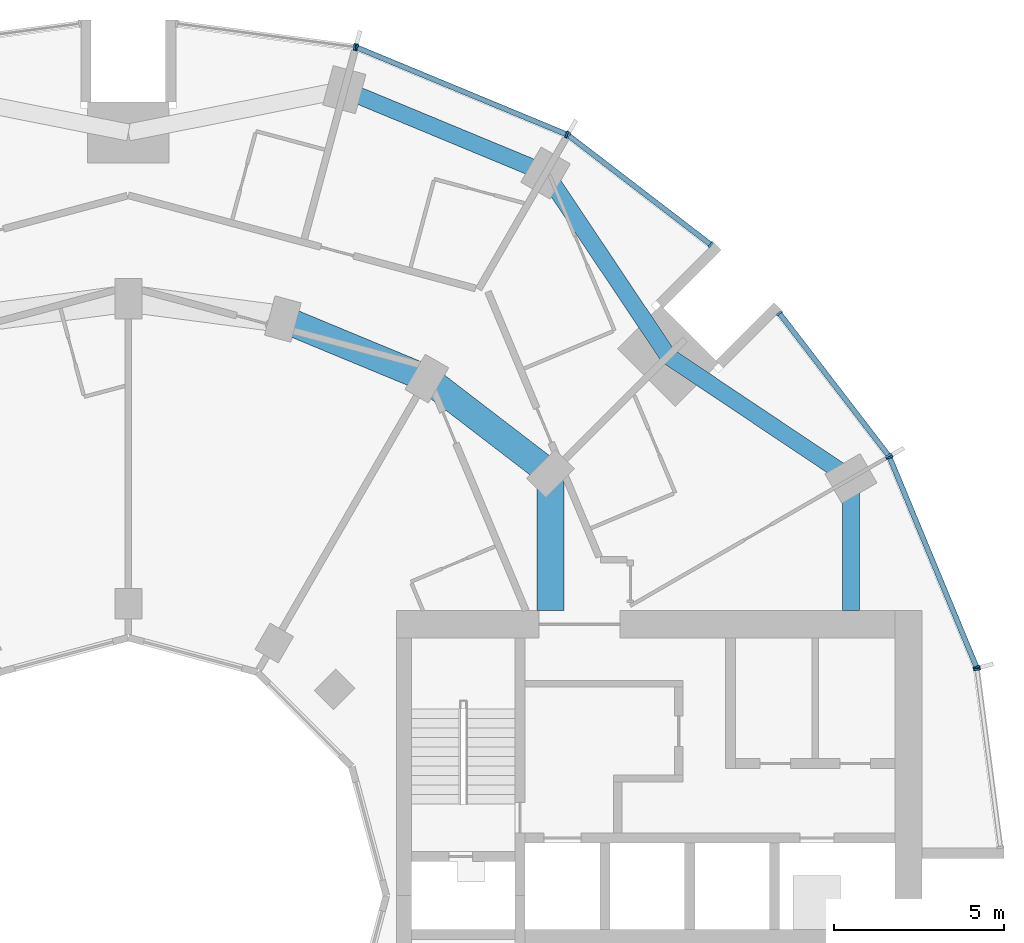
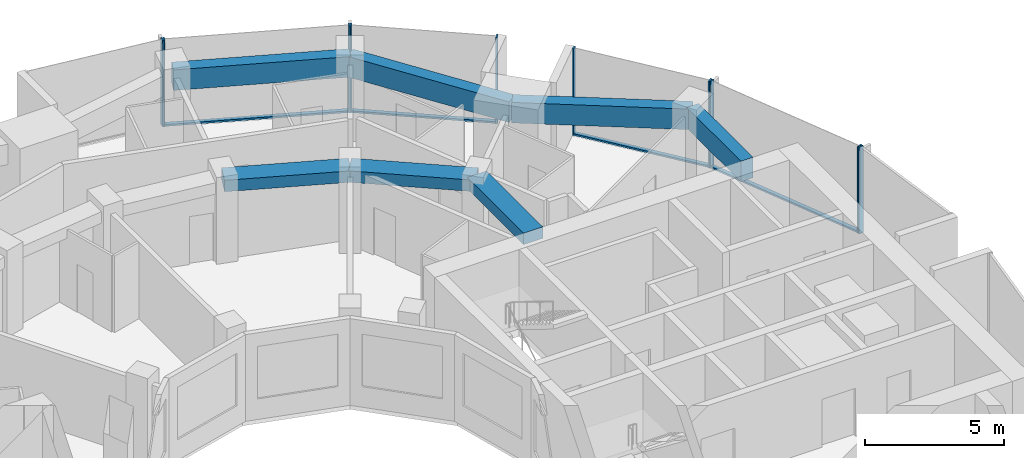
# One storey, part 6 of 15: 14 members, 7 beams, 6 elements without a shape of their own.
"""IFC4 building model written with IfcOpenShell, lengths in metres."""

from ifc_helpers import new_model, si_unit, direction, frame, origin, origin_2d, place, context, subcontext, project, spatial, rectangle, extrude, material, layer, layer_set, material_profile, profile_set, type_object, element, aggregate, save


model = new_model("IFC4")

# Units and contexts
model_context = context("Model", 3, precision=1e-05, world=origin(), true_north=direction((0.0, 1.0)))
body_context = subcontext(model_context, "Body", "Model", "MODEL_VIEW")
ifc_project = project(units=[si_unit("LENGTHUNIT", "METRE"), si_unit("AREAUNIT", "SQUARE_METRE"), si_unit("VOLUMEUNIT", "CUBIC_METRE"), si_unit("PLANEANGLEUNIT", "RADIAN"), si_unit("MASSUNIT", "GRAM", prefix="KILO")], contexts=[model_context])

# Site, building, storey
site_placement = place(None, origin())
site = spatial("IfcSite", under=ifc_project, at=site_placement, CompositionType="ELEMENT")
building_placement = place(site_placement, origin())
building = spatial("IfcBuilding", under=site, at=building_placement, Name="Torre Brocal", CompositionType="ELEMENT")
storey_placement = place(building_placement, frame((0.0, 0.0, 82.39990234375)))
storey = spatial("IfcBuildingStorey", under=building, at=storey_placement, Name="L18", CompositionType="ELEMENT", Elevation=82.39990234375)

# Curtain wall, members
ifc_material_1 = material(Name="Aluminium and glass", Category="aluminium")
ifc_layer_1 = layer(ifc_material_1, 0.199951171875)
ifc_layer_set_1 = layer_set([ifc_layer_1], Name="Aluminium and glass")
curtain_wall_type_1 = type_object("IfcCurtainWallType", Name="CW-1 CURTAIN WALL 3800 HIGH", PredefinedType="NOTDEFINED", material=ifc_layer_set_1)
curtain_wall_1_placement = place(storey_placement, origin())
curtain_wall_1 = element("IfcCurtainWall", 1, at=curtain_wall_1_placement, inside=storey, type_object=curtain_wall_type_1, Name="CW-1 RUN 2", PredefinedType="NOTDEFINED")
ifc_material_2 = material(Name="Aluminium, dark anodised", Category="aluminium")
ifc_material_profile_1 = material_profile(ifc_material_2, rectangle(XDim=0.199951171875, YDim=0.06005859375, at=origin_2d()), Name="CW-1 MULLION 60X200")
ifc_profile_set_1 = profile_set([ifc_material_profile_1], Name="Aluminium, dark anodised")
member_type_1 = type_object("IfcMemberType", Name="CW-1 MULLION 60X200", PredefinedType="MULLION", material=ifc_profile_set_1)
member_1_placement = place(storey_placement, frame((105.005126953125, 81.73095703125, 0.0), z_axis=(0.0, 0.0, 1.0), x_axis=(-0.923879532525, -0.382683432333, 0.0)))
member_1 = element("IfcMember", 2, at=member_1_placement, type_object=member_type_1, Name="CW1-1 mullion 1", PredefinedType="MULLION", context=body_context, shape_type="SweptSolid", body=[
    extrude(rectangle(XDim=0.199951171875, YDim=0.06005859375, at=origin_2d()), origin(), (0.0, 0.0, 1.0), 3.800048828125),
])
member_2_placement = place(storey_placement, frame((102.440673828125, 87.921875, 0.0), z_axis=(0.0, 0.0, 1.0), x_axis=(-0.923879532525, -0.382683432333, 0.0)))
member_2 = element("IfcMember", 3, at=member_2_placement, type_object=member_type_1, Name="CW1-1 mullion 2", PredefinedType="MULLION", context=body_context, shape_type="SweptSolid", body=[
    extrude(rectangle(XDim=0.199951171875, YDim=0.06005859375, at=origin_2d()), origin(), (0.0, 0.0, 1.0), 3.800048828125),
])

curtain_wall_2_placement = place(storey_placement, origin())
curtain_wall_2 = element("IfcCurtainWall", 4, at=curtain_wall_2_placement, inside=storey, type_object=curtain_wall_type_1, Name="CW-1 RUN 3", PredefinedType="NOTDEFINED")
member_3_placement = place(storey_placement, frame((102.4111328125, 87.973388671875, 0.0), z_axis=(0.0, 0.0, 1.0), x_axis=(-0.793353340259, -0.60876142905, 0.0)))
member_3 = element("IfcMember", 5, at=member_3_placement, type_object=member_type_1, Name="CW1-1 mullion 1", PredefinedType="MULLION", context=body_context, shape_type="SweptSolid", body=[
    extrude(rectangle(XDim=0.199951171875, YDim=0.06005859375, at=origin_2d()), origin(), (0.0, 0.0, 1.0), 3.800048828125),
])
member_4_placement = place(storey_placement, frame((99.19140625, 92.16943359375, 0.0), z_axis=(0.0, 0.0, 1.0), x_axis=(-0.793353340259, -0.60876142905, 0.0)))
member_4 = element("IfcMember", 6, at=member_4_placement, type_object=member_type_1, Name="CW1-1 mullion 2", PredefinedType="MULLION", context=body_context, shape_type="SweptSolid", body=[
    extrude(rectangle(XDim=0.199951171875, YDim=0.06005859375, at=origin_2d()), origin(), (0.0, 0.0, 1.0), 3.800048828125),
])

curtain_wall_3_placement = place(storey_placement, origin())
curtain_wall_3 = element("IfcCurtainWall", 7, at=curtain_wall_3_placement, inside=storey, type_object=curtain_wall_type_1, Name="CW-1 RUN 4", PredefinedType="NOTDEFINED")
member_5_placement = place(storey_placement, frame((97.16943359375, 94.19140625, 0.0), z_axis=(0.0, 0.0, 1.0), x_axis=(-0.60876142905, -0.793353340259, 0.0)))
member_5 = element("IfcMember", 8, at=member_5_placement, type_object=member_type_1, Name="CW1-1 mullion 1", PredefinedType="MULLION", context=body_context, shape_type="SweptSolid", body=[
    extrude(rectangle(XDim=0.199951171875, YDim=0.06005859375, at=origin_2d()), origin(), (0.0, 0.0, 1.0), 3.800048828125),
])
member_6_placement = place(storey_placement, frame((92.973388671875, 97.4111328125, 0.0), z_axis=(0.0, 0.0, 1.0), x_axis=(-0.60876142905, -0.793353340259, 0.0)))
member_6 = element("IfcMember", 9, at=member_6_placement, type_object=member_type_1, Name="CW1-1 mullion 2", PredefinedType="MULLION", context=body_context, shape_type="SweptSolid", body=[
    extrude(rectangle(XDim=0.199951171875, YDim=0.06005859375, at=origin_2d()), origin(), (0.0, 0.0, 1.0), 3.800048828125),
])

curtain_wall_4_placement = place(storey_placement, origin())
curtain_wall_4 = element("IfcCurtainWall", 10, at=curtain_wall_4_placement, inside=storey, type_object=curtain_wall_type_1, Name="CW-1 RUN 5", PredefinedType="NOTDEFINED")
member_7_placement = place(storey_placement, frame((92.921875, 97.440673828125, 0.0), z_axis=(0.0, 0.0, 1.0), x_axis=(-0.382683432333, -0.923879532525, 0.0)))
member_7 = element("IfcMember", 11, at=member_7_placement, type_object=member_type_1, Name="CW1-1 mullion 1", PredefinedType="MULLION", context=body_context, shape_type="SweptSolid", body=[
    extrude(rectangle(XDim=0.199951171875, YDim=0.06005859375, at=origin_2d()), origin(), (0.0, 0.0, 1.0), 3.800048828125),
])
member_8_placement = place(storey_placement, frame((86.73095703125, 100.005126953125, 0.0), z_axis=(0.0, 0.0, 1.0), x_axis=(-0.382683432333, -0.923879532525, 0.0)))
member_8 = element("IfcMember", 12, at=member_8_placement, type_object=member_type_1, Name="CW1-1 mullion 2", PredefinedType="MULLION", context=body_context, shape_type="SweptSolid", body=[
    extrude(rectangle(XDim=0.199951171875, YDim=0.06005859375, at=origin_2d()), origin(), (0.0, 0.0, 1.0), 3.800048828125),
])

# Curtain wall, member
curtain_wall_5_placement = place(storey_placement, origin())
curtain_wall_5 = element("IfcCurtainWall", 13, at=curtain_wall_5_placement, inside=storey, type_object=curtain_wall_type_1, Name="CW-1 RUN 6", PredefinedType="NOTDEFINED")
member_9_placement = place(storey_placement, frame((86.67333984375, 100.0205078125, 0.0), z_axis=(0.0, 0.0, 1.0), x_axis=(-0.13052619222, -0.991444861374, 0.0)))
member_9 = element("IfcMember", 14, at=member_9_placement, type_object=member_type_1, Name="CW1-1 mullion 1", PredefinedType="MULLION", context=body_context, shape_type="SweptSolid", body=[
    extrude(rectangle(XDim=0.199951171875, YDim=0.06005859375, at=origin_2d()), origin(), (0.0, 0.0, 1.0), 3.800048828125),
])
aggregate(curtain_wall_5, [member_9])

# Member
ifc_material_3 = material(Name="Aluminium, dark anodised", Category="aluminium")
ifc_material_profile_2 = material_profile(ifc_material_3, rectangle(XDim=0.159912109375, YDim=0.080078125, at=origin_2d()), Name="CW-1 TRANSOM 160X80")
ifc_profile_set_2 = profile_set([ifc_material_profile_2], Name="Aluminium, dark anodised")
member_type_2 = type_object("IfcMemberType", Name="CW-1 TRANSOM 160X80", PredefinedType="USERDEFINED", material=ifc_profile_set_2)
member_10_placement = place(storey_placement, frame((104.99365234375, 81.758544921875, 0.0400390625), z_axis=(-0.38266457234, 0.923887344364, 0.0), x_axis=(-0.923887344364, -0.38266457234, 0.0)))
member_10 = element("IfcMember", 15, at=member_10_placement, type_object=member_type_2, Name="CW1-1 transom 1.1", ObjectType="TRANSOM", PredefinedType="USERDEFINED", context=body_context, shape_type="SweptSolid", body=[
    extrude(rectangle(XDim=0.159912109375, YDim=0.080078125, at=origin_2d()), origin(), (0.0, 0.0, 1.0), 6.640869140625),
])

aggregate(curtain_wall_1, [member_1, member_2, member_10])

member_11_placement = place(storey_placement, frame((102.392822265625, 87.9970703125, 0.0400390625), z_axis=(-0.60874908096, 0.79336281513, 0.0), x_axis=(-0.79336281513, -0.60874908096, 0.0)))
member_11 = element("IfcMember", 16, at=member_11_placement, type_object=member_type_2, Name="CW1-1 transom 1.1", ObjectType="TRANSOM", PredefinedType="USERDEFINED", context=body_context, shape_type="SweptSolid", body=[
    extrude(rectangle(XDim=0.159912109375, YDim=0.080078125, at=origin_2d()), origin(), (0.0, 0.0, 1.0), 5.22900390625),
])

aggregate(curtain_wall_2, [member_3, member_4, member_11])

member_12_placement = place(storey_placement, frame((97.1455078125, 94.209716796875, 0.0400390625), z_axis=(-0.79336281513, 0.60874908096, 0.0), x_axis=(-0.60874908096, -0.79336281513, 0.0)))
member_12 = element("IfcMember", 17, at=member_12_placement, type_object=member_type_2, Name="CW1-1 transom 1.1", ObjectType="TRANSOM", PredefinedType="USERDEFINED", context=body_context, shape_type="SweptSolid", body=[
    extrude(rectangle(XDim=0.159912109375, YDim=0.080078125, at=origin_2d()), origin(), (0.0, 0.0, 1.0), 5.22900390625),
])

aggregate(curtain_wall_3, [member_5, member_6, member_12])

member_13_placement = place(storey_placement, frame((92.89404296875, 97.452392578125, 0.0400390625), z_axis=(-0.923887344364, 0.38266457234, 0.0), x_axis=(-0.38266457234, -0.923887344364, 0.0)))
member_13 = element("IfcMember", 18, at=member_13_placement, type_object=member_type_2, Name="CW1-1 transom 1.1", ObjectType="TRANSOM", PredefinedType="USERDEFINED", context=body_context, shape_type="SweptSolid", body=[
    extrude(rectangle(XDim=0.159912109375, YDim=0.080078125, at=origin_2d()), origin(), (0.0, 0.0, 1.0), 6.640869140625),
])

aggregate(curtain_wall_4, [member_7, member_8, member_13])

# Curtain wall, member
ifc_material_4 = material(Name="Aluminium and glass", Category="aluminium")
ifc_layer_2 = layer(ifc_material_4, 0.199951171875)
ifc_layer_set_2 = layer_set([ifc_layer_2], Name="Aluminium and glass")
curtain_wall_type_2 = type_object("IfcCurtainWallType", Name="CW-1B CURTAIN WALL 3800 HIGH", PredefinedType="NOTDEFINED", material=ifc_layer_set_2)
curtain_wall_6_placement = place(storey_placement, origin())
curtain_wall_6 = element("IfcCurtainWall", 19, at=curtain_wall_6_placement, inside=storey, type_object=curtain_wall_type_2, Name="CW-1B RUN 1", PredefinedType="NOTDEFINED")
ifc_material_5 = material(Name="Aluminium, dark anodised", Category="aluminium")
ifc_material_profile_3 = material_profile(ifc_material_5, rectangle(XDim=0.199951171875, YDim=0.06005859375, at=origin_2d()), Name="CW-1B MULLION 60X200")
ifc_profile_set_3 = profile_set([ifc_material_profile_3], Name="Aluminium, dark anodised")
member_type_3 = type_object("IfcMemberType", Name="CW-1B MULLION 60X200", PredefinedType="MULLION", material=ifc_profile_set_3)
member_14_placement = place(storey_placement, frame((105.0205078125, 81.67333984375, 0.0), z_axis=(0.0, 0.0, 1.0), x_axis=(-0.991444861374, -0.13052619222, 0.0)))
member_14 = element("IfcMember", 20, at=member_14_placement, type_object=member_type_3, Name="CW1B-1 mullion 2", PredefinedType="MULLION", context=body_context, shape_type="SweptSolid", body=[
    extrude(rectangle(XDim=0.199951171875, YDim=0.06005859375, at=origin_2d()), origin(), (0.0, 0.0, 1.0), 3.800048828125),
])
aggregate(curtain_wall_6, [member_14])

# Beams
ifc_material_6 = material(Name="Concrete C50", Category="concrete")
ifc_material_profile_4 = material_profile(ifc_material_6, rectangle(XDim=0.800048828125, YDim=0.5, at=origin_2d()), Name="RC 800X500")
ifc_profile_set_4 = profile_set([ifc_material_profile_4], Name="Concrete C50")
beam_type_1 = type_object("IfcBeamType", Name="RC BEAM 800X500 C50 TOP 3480", PredefinedType="BEAM", material=ifc_profile_set_4)
beam_1_placement = place(storey_placement, frame((92.445068359375, 87.445068359375, 3.22998046875), z_axis=(-0.793358265959, 0.6087550097, 0.0), x_axis=(-0.6087550097, -0.793358265959, 0.0)))
element("IfcBeam", 21, at=beam_1_placement, inside=storey, type_object=beam_type_1, Name="Beam BT-19", PredefinedType="BEAM", context=body_context, shape_type="SweptSolid", body=[
    extrude(rectangle(XDim=0.800048828125, YDim=0.5, at=origin_2d()), origin(), (0.0, 0.0, 1.0), 4.594482421875),
])
beam_2_placement = place(storey_placement, frame((88.800048828125, 90.241943359375, 3.22998046875), z_axis=(-0.923878240166, 0.382686552348, 0.0), x_axis=(-0.382686552348, -0.923878240166, 0.0)))
element("IfcBeam", 22, at=beam_2_placement, inside=storey, type_object=beam_type_1, Name="Beam BT-19", PredefinedType="BEAM", context=body_context, shape_type="SweptSolid", body=[
    extrude(rectangle(XDim=0.800048828125, YDim=0.5, at=origin_2d()), origin(), (0.0, 0.0, 1.0), 4.5947265625),
])
beam_3_placement = place(storey_placement, frame((92.445068359375, 87.445068359375, 3.22998046875), z_axis=(0.0, -1.0, 0.0), x_axis=(1.0, 0.0, 0.0)))
element("IfcBeam", 23, at=beam_3_placement, inside=storey, type_object=beam_type_1, Name="Beam BT-19", PredefinedType="BEAM", context=body_context, shape_type="SweptSolid", body=[
    extrude(rectangle(XDim=0.800048828125, YDim=0.5, at=origin_2d()), origin(), (0.0, 0.0, 1.0), 4.045166015625),
])
ifc_material_7 = material(Name="Concrete C50", Category="concrete")
ifc_material_profile_5 = material_profile(ifc_material_7, rectangle(XDim=0.5, YDim=0.89990234375, at=origin_2d()), Name="RC 500X900")
ifc_profile_set_5 = profile_set([ifc_material_profile_5], Name="Concrete C50")
beam_type_2 = type_object("IfcBeamType", Name="RC SPANDREL BEAM 500X900 C50 TOP 3480", PredefinedType="SPANDREL", material=ifc_profile_set_5)
for number, where, z_axis, x_axis, name in (
    (24, (101.30419921875, 87.300048828125, 3.030029296875), (-0.831076844476, 0.556157602282, 0.0), (-0.556157602282, -0.831076844476, 0.0), "Beam BT-20"),
    (25, (95.909912109375, 90.909912109375, 3.030029296875), (-0.556157602282, 0.831076844476, 0.0), (-0.831076844476, -0.556157602282, 0.0), "Beam BT-20"),
):
    element("IfcBeam", number, at=place(storey_placement, frame(where, z_axis=z_axis, x_axis=x_axis)), inside=storey, type_object=beam_type_2, Name=name, PredefinedType="SPANDREL", context=body_context, shape_type="SweptSolid", body=[
        extrude(rectangle(XDim=0.5, YDim=0.89990234375, at=origin_2d()), origin(), (0.0, 0.0, 1.0), 6.49072265625),
    ])
beam_4_placement = place(storey_placement, frame((92.300048828125, 96.30419921875, 3.030029296875), z_axis=(-0.923882462513, 0.382676358639, 0.0), x_axis=(-0.382676358639, -0.923882462513, 0.0)))
element("IfcBeam", 26, at=beam_4_placement, inside=storey, type_object=beam_type_2, Name="Beam BT-20", PredefinedType="SPANDREL", context=body_context, shape_type="SweptSolid", body=[
    extrude(rectangle(XDim=0.5, YDim=0.89990234375, at=origin_2d()), origin(), (0.0, 0.0, 1.0), 6.421875),
])
beam_5_placement = place(storey_placement, frame((101.30419921875, 87.300048828125, 3.030029296875), z_axis=(0.0, -1.0, 0.0), x_axis=(1.0, 0.0, 0.0)))
element("IfcBeam", 27, at=beam_5_placement, inside=storey, type_object=beam_type_2, Name="Beam BT-20", PredefinedType="SPANDREL", context=body_context, shape_type="SweptSolid", body=[
    extrude(rectangle(XDim=0.5, YDim=0.89990234375, at=origin_2d()), origin(), (0.0, 0.0, 1.0), 3.900146484375),
])

save(model, "model.ifc")
